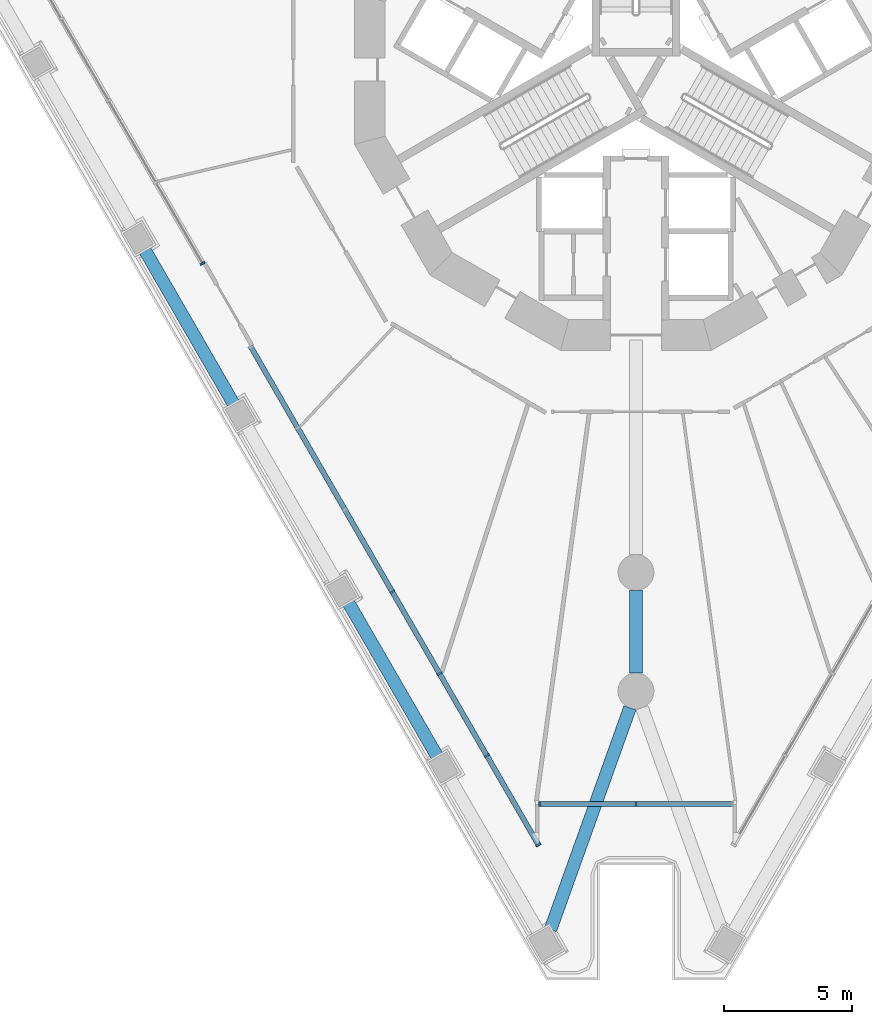
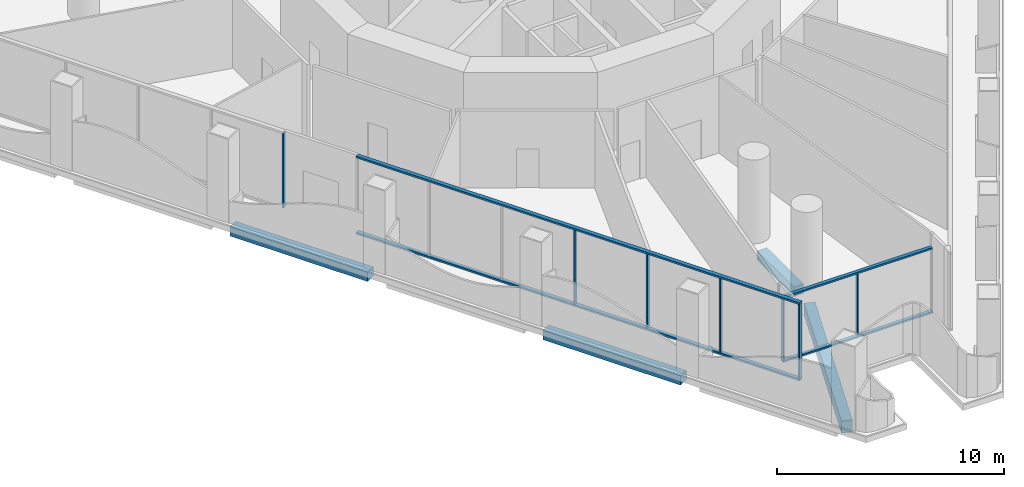
# One storey, part 2 of 21: 11 members, 4 beams, 3 elements without a shape of their own.
"""IFC4 building model written with IfcOpenShell, lengths in metres."""

from ifc_helpers import new_model, si_unit, direction, frame, origin, origin_2d, place, context, subcontext, project, spatial, rectangle, extrude, material, layer, layer_set, material_profile, profile_set, type_object, element, aggregate, save


model = new_model("IFC4")

# Units and contexts
model_context = context("Model", 3, precision=1e-05, world=origin(), true_north=direction((0.0, 1.0)))
body_context = subcontext(model_context, "Body", "Model", "MODEL_VIEW")
ifc_project = project(units=[si_unit("LENGTHUNIT", "METRE"), si_unit("AREAUNIT", "SQUARE_METRE"), si_unit("VOLUMEUNIT", "CUBIC_METRE"), si_unit("PLANEANGLEUNIT", "RADIAN"), si_unit("MASSUNIT", "GRAM", prefix="KILO")], contexts=[model_context])

# Site, building, storey
site_placement = place(None, origin())
site = spatial("IfcSite", under=ifc_project, at=site_placement, CompositionType="ELEMENT")
building_placement = place(site_placement, origin())
building = spatial("IfcBuilding", under=site, at=building_placement, Name="Trine Commons Tower", CompositionType="ELEMENT")
storey_placement = place(building_placement, frame((0.0, 0.0, 27.0)))
storey = spatial("IfcBuildingStorey", under=building, at=storey_placement, Name="L05", CompositionType="ELEMENT", Elevation=27.0)

# Curtain wall, members
ifc_material_1 = material(Name="Corner pocket glazing: anodised aluminium frame with low-emissivity double glazed unit, laminated", Category="aluminium")
ifc_layer_1 = layer(ifc_material_1, 0.179931640625)
ifc_layer_set_1 = layer_set([ifc_layer_1], Name="Corner pocket glazing: anodised aluminium frame with low-emissivity double glazed unit, laminated")
curtain_wall_type_1 = type_object("IfcCurtainWallType", Name="Corner pocket glazing curtain wall CW8", PredefinedType="NOTDEFINED", material=ifc_layer_set_1)
curtain_wall_1_placement = place(storey_placement, origin())
curtain_wall_1 = element("IfcCurtainWall", 1, at=curtain_wall_1_placement, inside=storey, type_object=curtain_wall_type_1, Name="Corner pocket glazing L05 P3.1", PredefinedType="NOTDEFINED")
ifc_material_2 = material(Name="Anodised aluminium, bronze finish", Category="aluminium")
ifc_material_profile_1 = material_profile(ifc_material_2, rectangle(XDim=0.179931640625, YDim=0.06494140625, at=origin_2d()), Name="Mullion 65x180")
ifc_profile_set_1 = profile_set([ifc_material_profile_1], Name="Anodised aluminium, bronze finish")
member_type_1 = type_object("IfcMemberType", Name="Mullion 65x180, Anodised aluminium, bronze finish", PredefinedType="MULLION", material=ifc_profile_set_1)
member_1_placement = place(storey_placement, frame((80.0, 33.74072265625, 0.090087890625), z_axis=(0.0, 0.0, 1.0), x_axis=(0.0, -1.0, 0.0)))
member_1 = element("IfcMember", 2, at=member_1_placement, type_object=member_type_1, Name="CW8 mullion 2.1", PredefinedType="MULLION", context=body_context, shape_type="SweptSolid", body=[
    extrude(rectangle(XDim=0.179931640625, YDim=0.06494140625, at=origin_2d()), origin(), (0.0, 0.0, 1.0), 3.349853515625),
])
member_2_placement = place(storey_placement, frame((76.232421875, 33.74072265625, 0.090087890625), z_axis=(0.0, 0.0, 1.0), x_axis=(0.0, -1.0, 0.0)))
member_2 = element("IfcMember", 3, at=member_2_placement, type_object=member_type_1, Name="CW8 mullion 3.1", PredefinedType="MULLION", context=body_context, shape_type="SweptSolid", body=[
    extrude(rectangle(XDim=0.179931640625, YDim=0.06494140625, at=origin_2d()), origin(), (0.0, 0.0, 1.0), 3.349853515625),
])

ifc_material_3 = material(Name="Podium glazing: anodised aluminium frame with low-emissivity double glazed unit", Category="aluminium")
ifc_layer_2 = layer(ifc_material_3, 0.199951171875)
ifc_layer_set_2 = layer_set([ifc_layer_2], Name="Podium glazing: anodised aluminium frame with low-emissivity double glazed unit")
curtain_wall_type_2 = type_object("IfcCurtainWallType", Name="Podium glazing curtain wall CW3", PredefinedType="NOTDEFINED", material=ifc_layer_set_2)
curtain_wall_2_placement = place(storey_placement, origin())
curtain_wall_2 = element("IfcCurtainWall", 4, at=curtain_wall_2_placement, inside=storey, type_object=curtain_wall_type_2, Name="Podium glazing L05 F3.1", PredefinedType="NOTDEFINED")
ifc_material_profile_2 = material_profile(ifc_material_2, rectangle(XDim=0.199951171875, YDim=0.074951171875, at=origin_2d()), Name="Mullion 75x200")
ifc_profile_set_2 = profile_set([ifc_material_profile_2], Name="Anodised aluminium, bronze finish")
member_type_2 = type_object("IfcMemberType", Name="Mullion 75x200, Anodised aluminium, bronze finish", PredefinedType="MULLION", material=ifc_profile_set_2)
member_3_placement = place(storey_placement, frame((76.18115234375, 32.14501953125, 0.10009765625), z_axis=(0.0, 0.0, 1.0), x_axis=(-0.866025403784, -0.5, 0.0)))
member_3 = element("IfcMember", 5, at=member_3_placement, type_object=member_type_2, Name="CW3 mullion 1.1", PredefinedType="MULLION", context=body_context, shape_type="SweptSolid", body=[
    extrude(rectangle(XDim=0.199951171875, YDim=0.074951171875, at=origin_2d()), origin(), (0.0, 0.0, 1.0), 4.0),
])
member_4_placement = place(storey_placement, frame((74.163818359375, 35.63916015625, 0.10009765625), z_axis=(0.0, 0.0, 1.0), x_axis=(-0.866025403784, -0.5, 0.0)))
member_4 = element("IfcMember", 6, at=member_4_placement, type_object=member_type_2, Name="CW3 mullion 2.1", PredefinedType="MULLION", context=body_context, shape_type="SweptSolid", body=[
    extrude(rectangle(XDim=0.199951171875, YDim=0.074951171875, at=origin_2d()), origin(), (0.0, 0.0, 1.0), 4.0),
])
member_5_placement = place(storey_placement, frame((72.314453125, 38.842529296875, 0.10009765625), z_axis=(0.0, 0.0, 1.0), x_axis=(-0.866025403784, -0.5, 0.0)))
member_5 = element("IfcMember", 7, at=member_5_placement, type_object=member_type_2, Name="CW3 mullion 3.1", PredefinedType="MULLION", context=body_context, shape_type="SweptSolid", body=[
    extrude(rectangle(XDim=0.199951171875, YDim=0.074951171875, at=origin_2d()), origin(), (0.0, 0.0, 1.0), 4.0),
])
member_6_placement = place(storey_placement, frame((70.465087890625, 42.0458984375, 0.10009765625), z_axis=(0.0, 0.0, 1.0), x_axis=(-0.866025403784, -0.5, 0.0)))
member_6 = element("IfcMember", 8, at=member_6_placement, type_object=member_type_2, Name="CW3 mullion 4.1", PredefinedType="MULLION", context=body_context, shape_type="SweptSolid", body=[
    extrude(rectangle(XDim=0.199951171875, YDim=0.074951171875, at=origin_2d()), origin(), (0.0, 0.0, 1.0), 4.0),
])

# Curtain wall, member
curtain_wall_3_placement = place(storey_placement, origin())
curtain_wall_3 = element("IfcCurtainWall", 9, at=curtain_wall_3_placement, inside=storey, type_object=curtain_wall_type_2, Name="Podium glazing L05 F3.2", PredefinedType="NOTDEFINED")
member_7_placement = place(storey_placement, frame((63.048583984375, 54.8916015625, 0.10009765625), z_axis=(0.0, 0.0, 1.0), x_axis=(-0.866025403784, -0.5, 0.0)))
member_7 = element("IfcMember", 10, at=member_7_placement, type_object=member_type_2, Name="CW3 mullion 1.1", PredefinedType="MULLION", context=body_context, shape_type="SweptSolid", body=[
    extrude(rectangle(XDim=0.199951171875, YDim=0.074951171875, at=origin_2d()), origin(), (0.0, 0.0, 1.0), 4.0),
])
aggregate(curtain_wall_3, [member_7])

# Beams
ifc_material_4 = material(Name="Concrete C50/60", Category="concrete")
ifc_material_profile_3 = material_profile(ifc_material_4, rectangle(XDim=0.5, YDim=0.5, at=origin_2d()), Name="RC 500x500")
ifc_profile_set_3 = profile_set([ifc_material_profile_3], Name="Concrete C50/60")
beam_type_1 = type_object("IfcBeamType", Name="RC beam 500x500, C50/60", PredefinedType="BEAM", material=ifc_profile_set_3)
beam_1_placement = place(storey_placement, frame((72.236328125, 35.577880859375, -0.60009765625), z_axis=(-0.500017753321, 0.866015153657, 0.0), x_axis=(-0.866015153657, -0.500017753321, 0.0)))
element("IfcBeam", 11, at=beam_1_placement, inside=storey, type_object=beam_type_1, Name="Beam EB1-02 L05", PredefinedType="BEAM", context=body_context, shape_type="SweptSolid", body=[
    extrude(rectangle(XDim=0.5, YDim=0.5, at=origin_2d()), origin(), (0.0, 0.0, 1.0), 7.013427734375),
])
beam_2_placement = place(storey_placement, frame((64.27294921875, 49.370849609375, -0.60009765625), z_axis=(-0.499991645397, 0.866030227263, 0.0), x_axis=(-0.866030227263, -0.499991645397, 0.0)))
element("IfcBeam", 12, at=beam_2_placement, inside=storey, type_object=beam_type_1, Name="Beam EB1-04 L05", PredefinedType="BEAM", context=body_context, shape_type="SweptSolid", body=[
    extrude(rectangle(XDim=0.5, YDim=0.5, at=origin_2d()), origin(), (0.0, 0.0, 1.0), 7.01318359375),
])
beam_3_placement = place(storey_placement, frame((80.0, 42.102783203125, -0.60009765625), z_axis=(0.0, -1.0, 0.0), x_axis=(1.0, 0.0, 0.0)))
element("IfcBeam", 13, at=beam_3_placement, inside=storey, type_object=beam_type_1, Name="Beam RB1-02 L05", PredefinedType="BEAM", context=body_context, shape_type="SweptSolid", body=[
    extrude(rectangle(XDim=0.5, YDim=0.5, at=origin_2d()), origin(), (0.0, 0.0, 1.0), 3.240478515625),
])
ifc_material_profile_4 = material_profile(ifc_material_4, rectangle(XDim=0.5, YDim=0.64990234375, at=origin_2d()), Name="RC 500x650")
ifc_profile_set_4 = profile_set([ifc_material_profile_4], Name="Concrete C50/60")
beam_type_2 = type_object("IfcBeamType", Name="RC beam 500x650, C50/60", PredefinedType="BEAM", material=ifc_profile_set_4)
beam_4_placement = place(storey_placement, frame((76.654541015625, 28.8251953125, -0.675048828125), z_axis=(0.337305880684, 0.941395104542, 0.0), x_axis=(-0.941395104542, 0.337305880684, 0.0)))
element("IfcBeam", 14, at=beam_4_placement, inside=storey, type_object=beam_type_2, Name="Beam CB1-06 L05", PredefinedType="BEAM", context=body_context, shape_type="SweptSolid", body=[
    extrude(rectangle(XDim=0.5, YDim=0.64990234375, at=origin_2d()), origin(), (0.0, 0.0, 1.0), 9.218994140625),
])

# Member
ifc_material_profile_5 = material_profile(ifc_material_2, rectangle(XDim=0.199951171875, YDim=0.10009765625, at=origin_2d()), Name="Transom 100x200")
ifc_profile_set_5 = profile_set([ifc_material_profile_5], Name="Anodised aluminium, bronze finish")
member_type_3 = type_object("IfcMemberType", Name="Transom 100x200, Anodised aluminium, bronze finish", PredefinedType="USERDEFINED", material=ifc_profile_set_5)
member_8_placement = place(storey_placement, frame((76.199951171875, 32.112548828125, 0.050048828125), z_axis=(-0.499997470867, 0.866026863975, 0.0), x_axis=(-0.866026863975, -0.499997470867, 0.0)))
member_8 = element("IfcMember", 15, at=member_8_placement, type_object=member_type_3, Name="CW3 transom T00", ObjectType="TRANSOM", PredefinedType="USERDEFINED", context=body_context, shape_type="SweptSolid", body=[
    extrude(rectangle(XDim=0.199951171875, YDim=0.10009765625, at=origin_2d()), origin(), (0.0, 0.0, 1.0), 22.56640625),
])

member_9_placement = place(storey_placement, frame((76.199951171875, 32.112548828125, 4.14990234375), z_axis=(-0.499997470867, 0.866026863975, 0.0), x_axis=(-0.866026863975, -0.499997470867, 0.0)))
member_9 = element("IfcMember", 16, at=member_9_placement, type_object=member_type_3, Name="CW3 transom TH00", ObjectType="TRANSOM", PredefinedType="USERDEFINED", context=body_context, shape_type="SweptSolid", body=[
    extrude(rectangle(XDim=0.199951171875, YDim=0.10009765625, at=origin_2d()), origin(), (0.0, 0.0, 1.0), 22.56640625),
])

aggregate(curtain_wall_2, [member_8, member_9, member_3, member_4, member_5, member_6])

ifc_material_profile_6 = material_profile(ifc_material_2, rectangle(XDim=0.179931640625, YDim=0.090087890625, at=origin_2d()), Name="Transom 90x180")
ifc_profile_set_6 = profile_set([ifc_material_profile_6], Name="Anodised aluminium, bronze finish")
member_type_4 = type_object("IfcMemberType", Name="Transom 90x180, Anodised aluminium, bronze finish", PredefinedType="USERDEFINED", material=ifc_profile_set_6)
member_10_placement = place(storey_placement, frame((83.800048828125, 33.74072265625, 0.044921875), z_axis=(-1.0, 0.0, 0.0), x_axis=(0.0, -1.0, 0.0)))
member_10 = element("IfcMember", 17, at=member_10_placement, type_object=member_type_4, Name="CW8 transom T00", ObjectType="TRANSOM", PredefinedType="USERDEFINED", context=body_context, shape_type="SweptSolid", body=[
    extrude(rectangle(XDim=0.179931640625, YDim=0.090087890625, at=origin_2d()), origin(), (0.0, 0.0, 1.0), 7.60009765625),
])

member_11_placement = place(storey_placement, frame((83.800048828125, 33.74072265625, 3.485107421875), z_axis=(-1.0, 0.0, 0.0), x_axis=(0.0, -1.0, 0.0)))
member_11 = element("IfcMember", 18, at=member_11_placement, type_object=member_type_4, Name="CW8 transom TH00", ObjectType="TRANSOM", PredefinedType="USERDEFINED", context=body_context, shape_type="SweptSolid", body=[
    extrude(rectangle(XDim=0.179931640625, YDim=0.090087890625, at=origin_2d()), origin(), (0.0, 0.0, 1.0), 7.60009765625),
])

aggregate(curtain_wall_1, [member_10, member_11, member_1, member_2])

save(model, "model.ifc")
